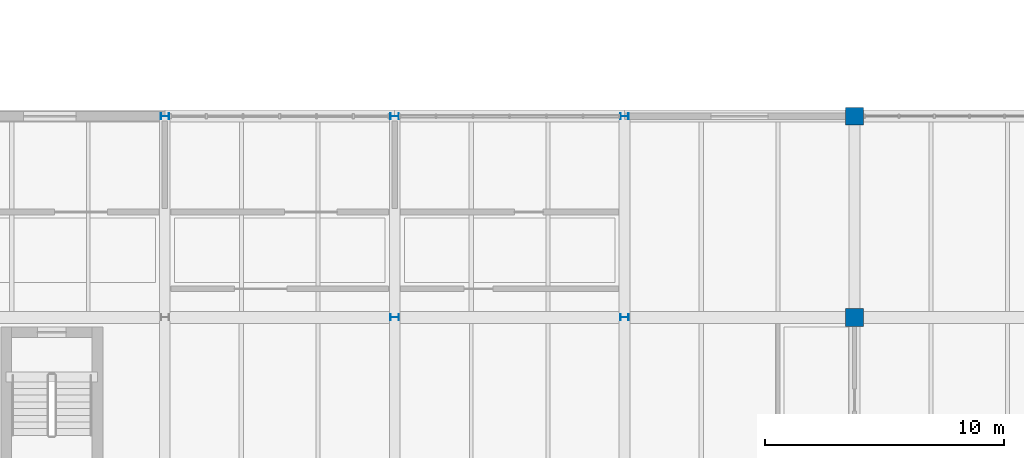
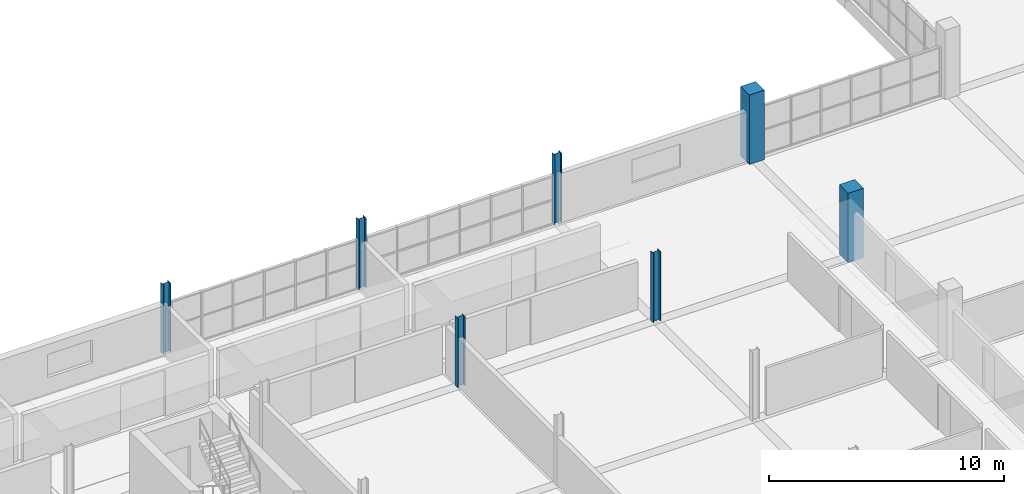
# One storey, part 13 of 147: 7 columns.
"""IFC4 building model written with IfcOpenShell, lengths in metres."""

from ifc_helpers import new_model, si_unit, direction, frame, origin, origin_2d, place, context, subcontext, project, spatial, rectangle, i_section, extrude, material, material_profile, profile_set, type_object, element, save


model = new_model("IFC4")

# Units and contexts
model_context = context("Model", 3, precision=1e-05, world=origin(), true_north=direction((0.0, 1.0)))
body_context = subcontext(model_context, "Body", "Model", "MODEL_VIEW")
ifc_project = project(units=[si_unit("LENGTHUNIT", "METRE"), si_unit("AREAUNIT", "SQUARE_METRE"), si_unit("VOLUMEUNIT", "CUBIC_METRE"), si_unit("PLANEANGLEUNIT", "RADIAN"), si_unit("MASSUNIT", "GRAM", prefix="KILO")], contexts=[model_context])

# Site, building, storey
site_placement = place(None, origin())
site = spatial("IfcSite", under=ifc_project, at=site_placement, CompositionType="ELEMENT")
building_placement = place(site_placement, origin())
building = spatial("IfcBuilding", under=site, at=building_placement, Name="Oolite Switchyard Hospital", CompositionType="ELEMENT")
storey_placement = place(building_placement, frame((0.0, 0.0, 9.89990234375)))
storey = spatial("IfcBuildingStorey", under=building, at=storey_placement, Name="L02", CompositionType="ELEMENT", Elevation=9.89990234375)

# Columns
ifc_material_1 = material(Name="Concrete C50/60", Category="concrete")
ifc_material_profile_1 = material_profile(ifc_material_1, rectangle(XDim=0.75, YDim=0.75, at=origin_2d()), Name="RC750X750")
ifc_profile_set_1 = profile_set([ifc_material_profile_1], Name="Concrete C50/60")
column_type_1 = type_object("IfcColumnType", Name="COL-RC750", PredefinedType="COLUMN", material=ifc_profile_set_1)
for number, where, z_axis, x_axis, name in (
    (1, (124.800048828125, 100.800048828125, 0.0), (0.0, 0.0, 1.0), (1.0, 0.0, 0.0), "L02 Column 791"),
    (2, (124.800048828125, 109.199951171875, 0.0), (0.0, 0.0, 1.0), (1.0, 0.0, 0.0), "L02 Column 792"),
):
    element("IfcColumn", number, at=place(storey_placement, frame(where, z_axis=z_axis, x_axis=x_axis)), inside=storey, type_object=column_type_1, Name=name, PredefinedType="COLUMN", context=body_context, shape_type="SweptSolid", body=[
        extrude(rectangle(XDim=0.75, YDim=0.75, at=origin_2d()), origin(), (0.0, 0.0, 1.0), 3.60009765625),
    ])
ifc_material_2 = material(Name="Steel ASTM A992 Grade 50", Category="steel")
ifc_material_profile_2 = material_profile(ifc_material_2, i_section(OverallWidth=0.25390625, OverallDepth=0.35595703125, WebThickness=0.010986328125, FlangeThickness=0.01806640625, at=origin_2d()), Name="W14X68")
ifc_profile_set_2 = profile_set([ifc_material_profile_2], Name="Steel ASTM A992 Grade 50")
column_type_2 = type_object("IfcColumnType", Name="COL-STL14X68", PredefinedType="COLUMN", material=ifc_profile_set_2)
for number, where, z_axis, x_axis, name in (
    (3, (96.0, 109.199951171875, 0.0), (0.0, 0.0, 1.0), (0.0, -1.0, 0.0), "L02 Column 764"),
    (4, (105.60009765625, 100.800048828125, 0.0), (0.0, 0.0, 1.0), (0.0, -1.0, 0.0), "L02 Column 769"),
    (5, (105.60009765625, 109.199951171875, 0.0), (0.0, 0.0, 1.0), (0.0, -1.0, 0.0), "L02 Column 770"),
    (6, (115.199951171875, 100.800048828125, 0.0), (0.0, 0.0, 1.0), (0.0, -1.0, 0.0), "L02 Column 780"),
    (7, (115.199951171875, 109.199951171875, 0.0), (0.0, 0.0, 1.0), (0.0, -1.0, 0.0), "L02 Column 781"),
):
    element("IfcColumn", number, at=place(storey_placement, frame(where, z_axis=z_axis, x_axis=x_axis)), inside=storey, type_object=column_type_2, Name=name, PredefinedType="COLUMN", context=body_context, shape_type="SweptSolid", body=[
        extrude(i_section(OverallWidth=0.25390625, OverallDepth=0.35595703125, WebThickness=0.010986328125, FlangeThickness=0.01806640625, at=origin_2d()), origin(), (0.0, 0.0, 1.0), 3.60009765625),
    ])

save(model, "model.ifc")
